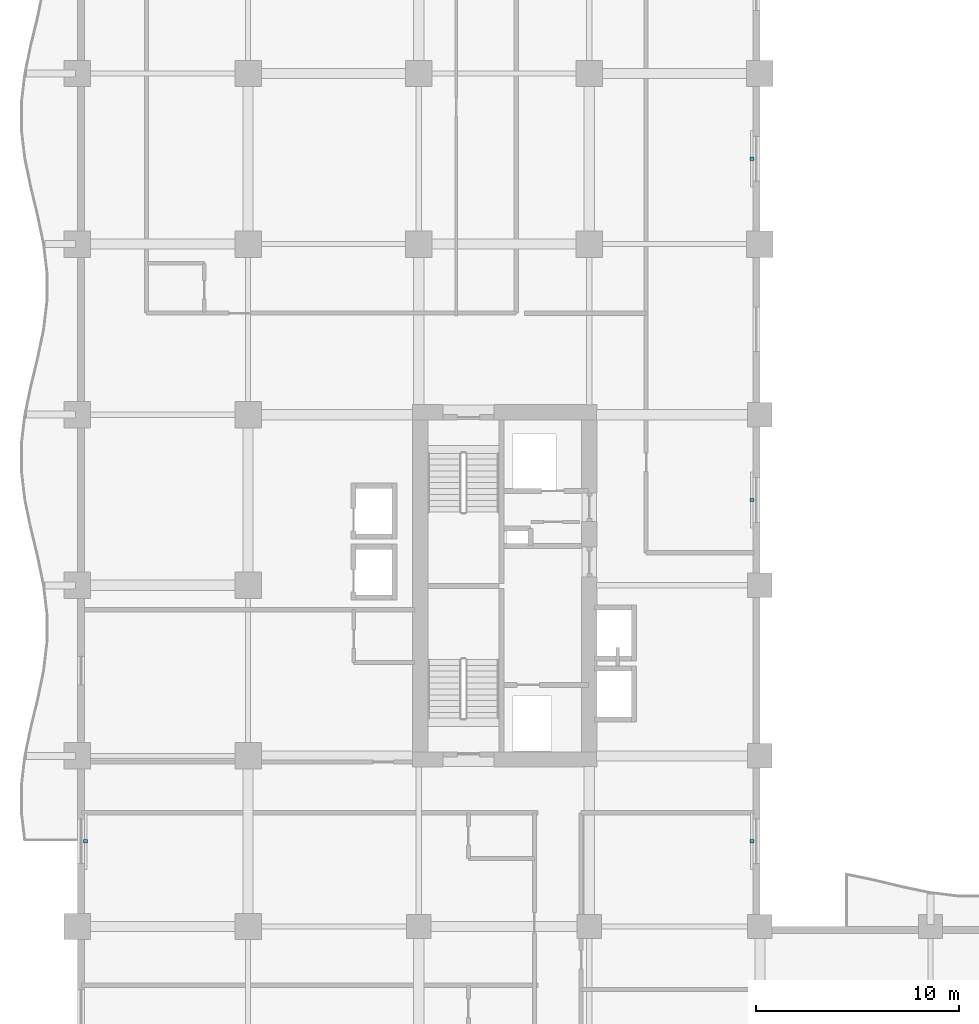
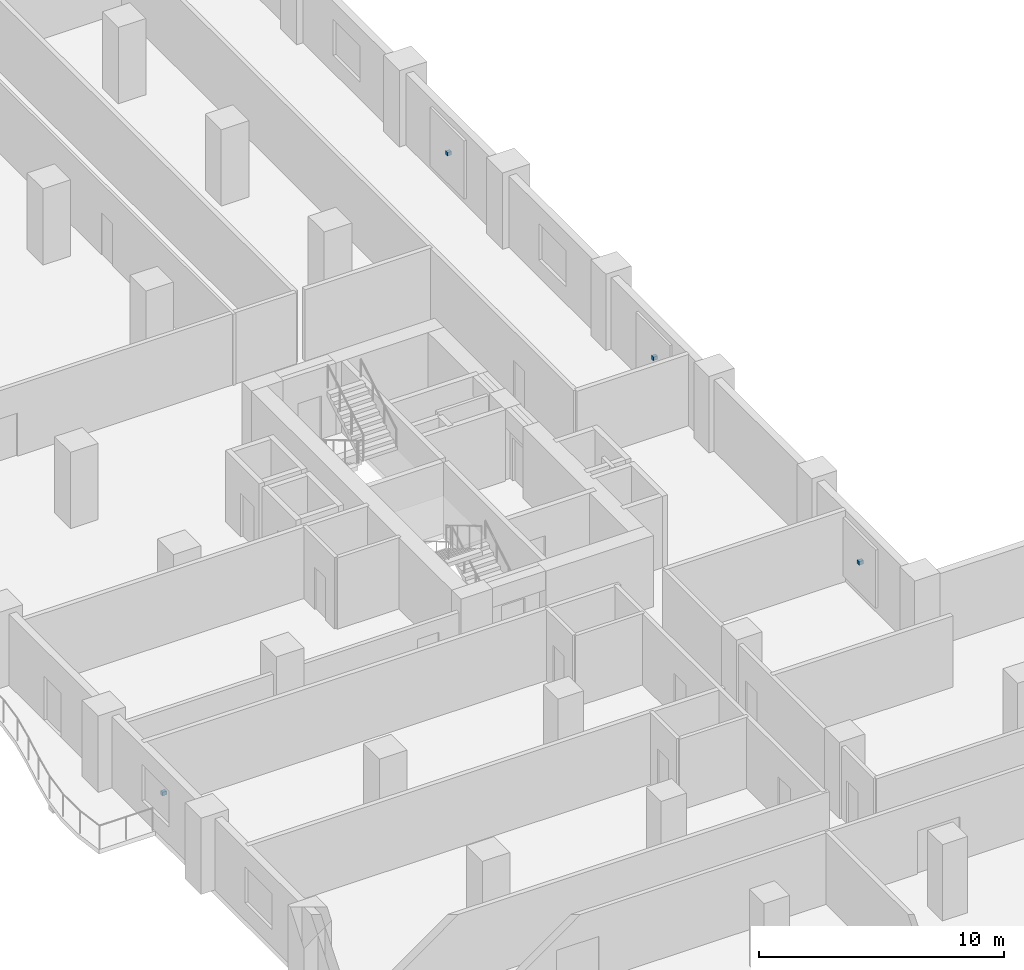
# One storey, part 11 of 15: 4 discrete accessories.
"""IFC4 building model written with IfcOpenShell, lengths in metres."""

from ifc_helpers import new_model, si_unit, direction, frame, origin, origin_2d, place, context, subcontext, project, spatial, rectangle, extrude, material, type_object, element, save


model = new_model("IFC4")

# Units and contexts
model_context = context("Model", 3, precision=1e-05, world=origin(), true_north=direction((0.0, 1.0)))
body_context = subcontext(model_context, "Body", "Model", "MODEL_VIEW")
ifc_project = project(units=[si_unit("LENGTHUNIT", "METRE"), si_unit("AREAUNIT", "SQUARE_METRE"), si_unit("VOLUMEUNIT", "CUBIC_METRE"), si_unit("PLANEANGLEUNIT", "RADIAN"), si_unit("MASSUNIT", "GRAM", prefix="KILO")], contexts=[model_context])

# Site, building, storey
site_placement = place(None, origin())
site = spatial("IfcSite", under=ifc_project, at=site_placement, CompositionType="ELEMENT")
building_placement = place(site_placement, origin())
building = spatial("IfcBuilding", under=site, at=building_placement, Name="Koriwani Terraces Tower", CompositionType="ELEMENT")
storey_placement = place(building_placement, frame((0.0, 0.0, 138.0)))
storey = spatial("IfcBuildingStorey", under=building, at=storey_placement, Name="L33", CompositionType="ELEMENT", Elevation=138.0)

# Discrete accessories
ifc_material = material(Name="Steel ASTM A572 Grade 50", Category="steel")
discrete_accessory_type = type_object("IfcDiscreteAccessoryType", Name="BAGUETTE_STANDOFF_BRACKET", PredefinedType="BRACKET", material=ifc_material)
for number, where, z_axis, x_axis, name in (
    (1, (0.389892578125, 37.800048828125, 1.68505859375), (0.0, 0.0, 1.0), (0.0, 1.0, 0.0), "L33 Terracotta Baguette Bracket (W-12)"),
    (2, (33.2099609375, 37.800048828125, 1.68505859375), (0.0, 0.0, 1.0), (0.0, -1.0, 0.0), "L33 Terracotta Baguette Bracket (NW_IN-2)"),
    (3, (33.2099609375, 54.60009765625, 1.68505859375), (0.0, 0.0, 1.0), (0.0, -1.0, 0.0), "L33 Terracotta Baguette Bracket (NW_IN-8)"),
    (4, (33.2099609375, 71.39990234375, 1.68505859375), (0.0, 0.0, 1.0), (0.0, -1.0, 0.0), "L33 Terracotta Baguette Bracket (NW_IN-14)"),
):
    element("IfcDiscreteAccessory", number, at=place(storey_placement, frame(where, z_axis=z_axis, x_axis=x_axis)), inside=storey, type_object=discrete_accessory_type, Name=name, PredefinedType="BRACKET", context=body_context, shape_type="SweptSolid", body=[
        extrude(rectangle(XDim=0.159912109375, YDim=0.199951171875, at=origin_2d()), origin(), (0.0, 0.0, 1.0), 0.179931640625),
    ])

save(model, "model.ifc")
